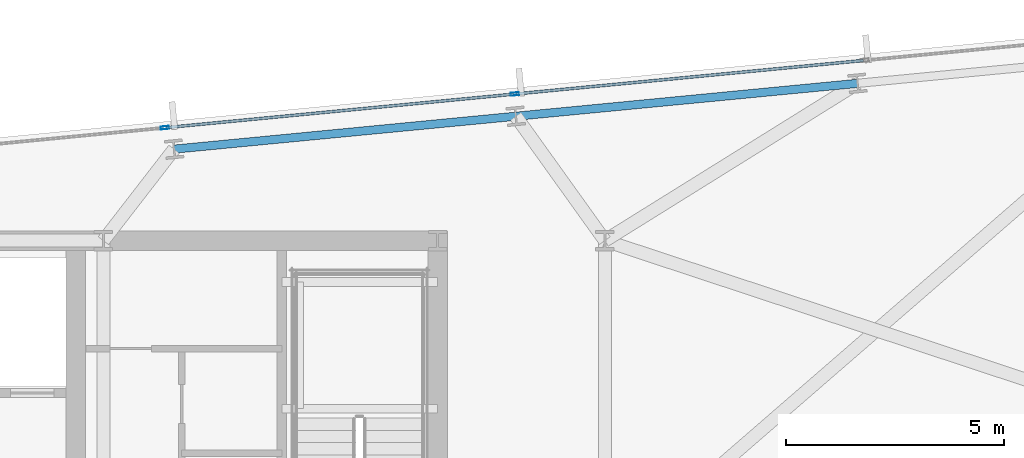
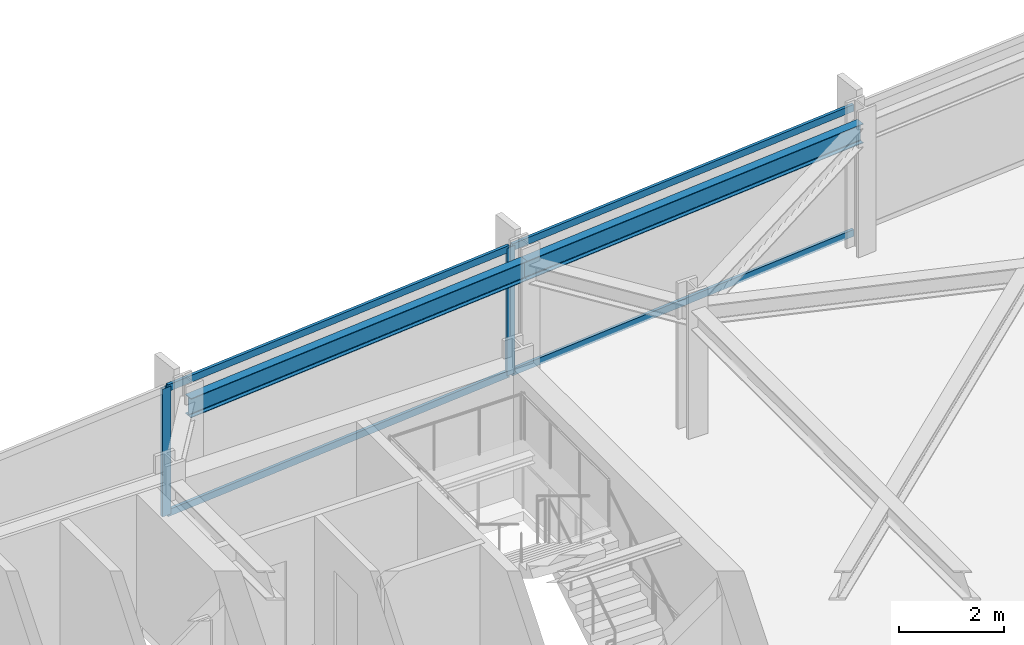
# One storey, part 21 of 32: 6 members, 2 beams, 1 element without a shape of its own.
"""IFC4 building model written with IfcOpenShell, lengths in metres."""

from ifc_helpers import new_model, si_unit, direction, frame, origin, origin_2d, place, context, subcontext, project, spatial, hollow_rectangle, i_section, extrude, material, material_profile, profile_set, type_object, element, aggregate, save


model = new_model("IFC4")

# Units and contexts
model_context = context("Model", 3, precision=1e-05, world=origin(), true_north=direction((0.0, 1.0)))
body_context = subcontext(model_context, "Body", "Model", "MODEL_VIEW")
ifc_project = project(units=[si_unit("LENGTHUNIT", "METRE"), si_unit("AREAUNIT", "SQUARE_METRE"), si_unit("VOLUMEUNIT", "CUBIC_METRE"), si_unit("PLANEANGLEUNIT", "RADIAN"), si_unit("MASSUNIT", "GRAM", prefix="KILO")], contexts=[model_context])

# Site, building, storey
site_placement = place(None, origin())
site = spatial("IfcSite", under=ifc_project, at=site_placement, CompositionType="ELEMENT")
building_placement = place(site_placement, origin())
building = spatial("IfcBuilding", under=site, at=building_placement, Name="Yelkora Congress Tower", CompositionType="ELEMENT")
storey_placement = place(building_placement, frame((0.0, 0.0, 133.89990234375)))
storey = spatial("IfcBuildingStorey", under=building, at=storey_placement, Name="L36", CompositionType="ELEMENT", Elevation=133.89990234375)

# Beams
ifc_material_1 = material(Name="Steel S355J2", Category="steel")
ifc_material_profile_1 = material_profile(ifc_material_1, i_section(OverallWidth=0.18994140625, OverallDepth=0.449951171875, WebThickness=0.009521484375, FlangeThickness=0.0146484375, FilletRadius=0.02099609375, at=origin_2d()), Name="IPE 450")
ifc_profile_set_1 = profile_set([ifc_material_profile_1], Name="Steel S355J2")
beam_type = type_object("IfcBeamType", Name="BM-SPAN-IPE450", PredefinedType="SPANDREL", material=ifc_profile_set_1)
for number, where, z_axis, x_axis, name in (
    (1, (63.4033203125, 49.81201171875, 2.755126953125), (-0.995398529126, -0.09582154358, 0.0), (0.09582154358, -0.995398529126, 0.0), "L36 Perimeter Beam 15"),
    (2, (55.553955078125, 49.056396484375, 2.755126953125), (-0.995395575667, -0.095852219286, 0.0), (0.095852219286, -0.995395575667, 0.0), "L36 Perimeter Beam 16"),
):
    element("IfcBeam", number, at=place(storey_placement, frame(where, z_axis=z_axis, x_axis=x_axis)), inside=storey, type_object=beam_type, Name=name, PredefinedType="SPANDREL", context=body_context, shape_type="SweptSolid", body=[
        extrude(i_section(OverallWidth=0.18994140625, OverallDepth=0.449951171875, WebThickness=0.009521484375, FlangeThickness=0.0146484375, FilletRadius=0.02099609375, at=origin_2d()), origin(), (0.0, 0.0, 1.0), 7.8857421875),
    ])

# Curtain wall, members
ifc_material_2 = material(Name="Anodised aluminium and insulated glass", Category="aluminium")
curtain_wall_type = type_object("IfcCurtainWallType", Name="CW-SYS-B2", PredefinedType="NOTDEFINED", material=ifc_material_2)
curtain_wall_placement = place(storey_placement, origin())
curtain_wall = element("IfcCurtainWall", 3, at=curtain_wall_placement, inside=storey, type_object=curtain_wall_type, Name="L36 Unitised Curtain Wall 10 (3)", PredefinedType="NOTDEFINED")
ifc_material_3 = material(Name="Anodised aluminium 6063-T6", Category="aluminium")
ifc_material_profile_2 = material_profile(ifc_material_3, hollow_rectangle(XDim=0.070068359375, YDim=0.18994140625, WallThickness=0.00390625, at=origin_2d()), Name="ALU 70x190x4")
ifc_profile_set_2 = profile_set([ifc_material_profile_2], Name="Anodised aluminium 6063-T6")
member_type_1 = type_object("IfcMemberType", Name="MEM-ML-B2", PredefinedType="MULLION", material=ifc_profile_set_2)
member_1_placement = place(storey_placement, frame((47.491943359375, 48.79248046875, 0.0), z_axis=(0.0, 0.0, 1.0), x_axis=(-0.095844238468, 0.995396344153, 0.0)))
member_1 = element("IfcMember", 4, at=member_1_placement, type_object=member_type_1, Name="CW-B2 mullion 4", PredefinedType="MULLION", context=body_context, shape_type="SweptSolid", body=[
    extrude(hollow_rectangle(XDim=0.070068359375, YDim=0.18994140625, WallThickness=0.00390625, at=origin_2d()), origin(), (0.0, 0.0, 1.0), 2.97998046875),
])
member_2_placement = place(storey_placement, frame((55.531982421875, 49.566650390625, 0.0), z_axis=(0.0, 0.0, 1.0), x_axis=(-0.095844238468, 0.995396344153, 0.0)))
member_2 = element("IfcMember", 5, at=member_2_placement, type_object=member_type_1, Name="CW-B2 mullion 5", PredefinedType="MULLION", context=body_context, shape_type="SweptSolid", body=[
    extrude(hollow_rectangle(XDim=0.070068359375, YDim=0.18994140625, WallThickness=0.00390625, at=origin_2d()), origin(), (0.0, 0.0, 1.0), 2.97998046875),
])
ifc_material_profile_3 = material_profile(ifc_material_3, hollow_rectangle(XDim=0.06494140625, YDim=0.159912109375, WallThickness=0.00390625, at=origin_2d()), Name="ALU 65x160x4")
ifc_profile_set_3 = profile_set([ifc_material_profile_3], Name="Anodised aluminium 6063-T6")
member_type_2 = type_object("IfcMemberType", Name="MEM-TR-B2", PredefinedType="USERDEFINED", material=ifc_profile_set_3)
member_3_placement = place(storey_placement, frame((47.52685546875, 48.7958984375, 0.03271484375), z_axis=(0.995397513894, 0.095832089266, 0.0), x_axis=(-0.095832089266, 0.995397513894, 0.0)))
member_3 = element("IfcMember", 6, at=member_3_placement, type_object=member_type_2, Name="CW-B2 transom 4.1", ObjectType="TRANSOM", PredefinedType="USERDEFINED", context=body_context, shape_type="SweptSolid", body=[
    extrude(hollow_rectangle(XDim=0.06494140625, YDim=0.159912109375, WallThickness=0.00390625, at=origin_2d()), origin(), (0.0, 0.0, 1.0), 8.007080078125),
])
member_4_placement = place(storey_placement, frame((47.52685546875, 48.7958984375, 2.947509765625), z_axis=(0.995397513894, 0.095832089266, 0.0), x_axis=(-0.095832089266, 0.995397513894, 0.0)))
member_4 = element("IfcMember", 7, at=member_4_placement, type_object=member_type_2, Name="CW-B2 transom 4.2", ObjectType="TRANSOM", PredefinedType="USERDEFINED", context=body_context, shape_type="SweptSolid", body=[
    extrude(hollow_rectangle(XDim=0.06494140625, YDim=0.159912109375, WallThickness=0.00390625, at=origin_2d()), origin(), (0.0, 0.0, 1.0), 8.007080078125),
])
member_5_placement = place(storey_placement, frame((55.566650390625, 49.570068359375, 0.03271484375), z_axis=(0.995397793901, 0.09582918082, 0.0), x_axis=(-0.09582918082, 0.995397793901, 0.0)))
member_5 = element("IfcMember", 8, at=member_5_placement, type_object=member_type_2, Name="CW-B2 transom 5.1", ObjectType="TRANSOM", PredefinedType="USERDEFINED", context=body_context, shape_type="SweptSolid", body=[
    extrude(hollow_rectangle(XDim=0.06494140625, YDim=0.159912109375, WallThickness=0.00390625, at=origin_2d()), origin(), (0.0, 0.0, 1.0), 8.00732421875),
])
member_6_placement = place(storey_placement, frame((55.566650390625, 49.570068359375, 2.947509765625), z_axis=(0.995397793901, 0.09582918082, 0.0), x_axis=(-0.09582918082, 0.995397793901, 0.0)))
member_6 = element("IfcMember", 9, at=member_6_placement, type_object=member_type_2, Name="CW-B2 transom 5.2", ObjectType="TRANSOM", PredefinedType="USERDEFINED", context=body_context, shape_type="SweptSolid", body=[
    extrude(hollow_rectangle(XDim=0.06494140625, YDim=0.159912109375, WallThickness=0.00390625, at=origin_2d()), origin(), (0.0, 0.0, 1.0), 8.00732421875),
])
aggregate(curtain_wall, [member_1, member_2, member_3, member_4, member_5, member_6])

save(model, "model.ifc")
